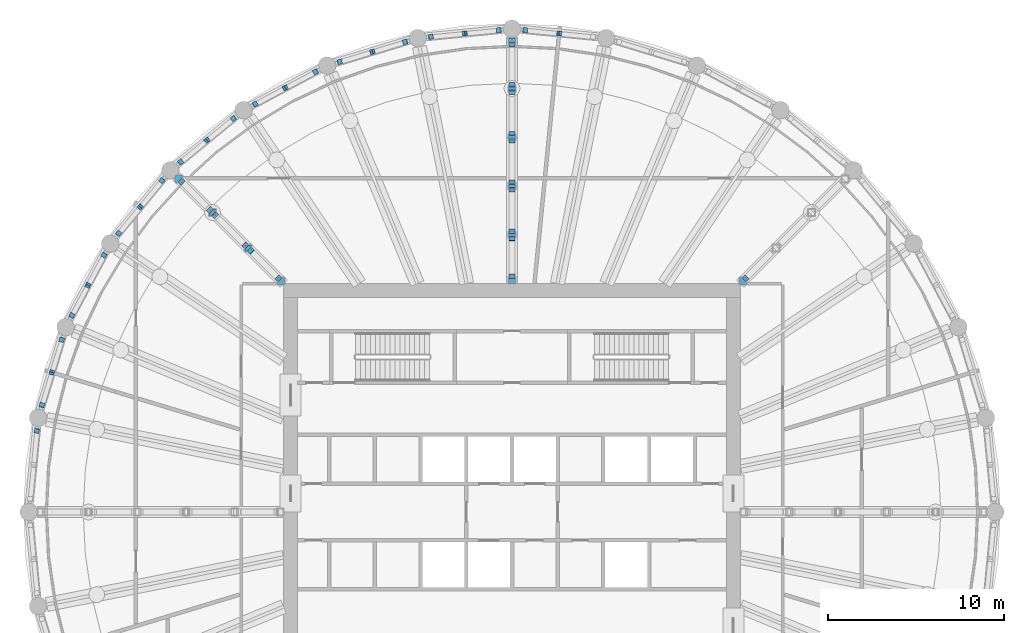
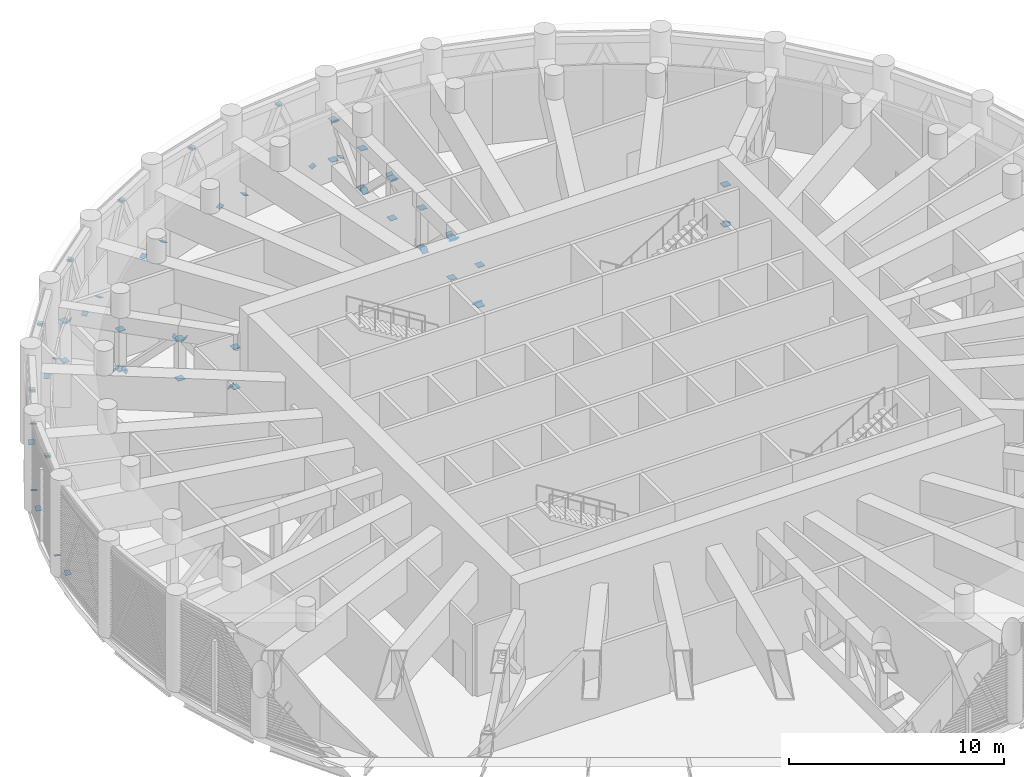
# One storey, part 15 of 24: 71 discrete accessories.
"""IFC4 building model written with IfcOpenShell, lengths in metres."""

from ifc_helpers import new_model, si_unit, direction, frame, origin, origin_2d, place, context, subcontext, project, spatial, rectangle, extrude, material, material_profile, profile_set, type_object, element, save


model = new_model("IFC4")

# Units and contexts
model_context = context("Model", 3, precision=1e-05, world=origin(), true_north=direction((0.0, 1.0)))
body_context = subcontext(model_context, "Body", "Model", "MODEL_VIEW")
ifc_project = project(units=[si_unit("LENGTHUNIT", "METRE"), si_unit("AREAUNIT", "SQUARE_METRE"), si_unit("VOLUMEUNIT", "CUBIC_METRE"), si_unit("PLANEANGLEUNIT", "RADIAN"), si_unit("MASSUNIT", "GRAM", prefix="KILO")], contexts=[model_context])

# Site, building, storey
site_placement = place(None, origin())
site = spatial("IfcSite", under=ifc_project, at=site_placement, CompositionType="ELEMENT")
building_placement = place(site_placement, origin())
building = spatial("IfcBuilding", under=site, at=building_placement, Name="Corvane Civic Tower", CompositionType="ELEMENT")
storey_placement = place(building_placement, frame((0.0, 0.0, 257.5)))
storey = spatial("IfcBuildingStorey", under=building, at=storey_placement, Name="L61", CompositionType="ELEMENT", Elevation=257.5)

# Discrete accessories
ifc_material_1 = material(Name="Steel ASTM A572 Gr 50", Category="steel")
ifc_material_profile_1 = material_profile(ifc_material_1, rectangle(XDim=0.2802734375, YDim=0.2802734375, at=origin_2d()), Name="GUSSET PLATE 25 IN HSS12X12X1/2")
ifc_profile_set_1 = profile_set([ifc_material_profile_1], Name="Steel ASTM A572 Gr 50")
discrete_accessory_type_1 = type_object("IfcDiscreteAccessoryType", Name="GUSSET PLATE 25 IN HSS12X12X1/2", PredefinedType="BRACKET", material=ifc_profile_set_1)
discrete_accessory_1_placement = place(storey_placement, frame((0.746337890625, 27.426513671875, 0.406494140625), z_axis=(0.411270876454, -0.0391686549, 0.910671226434), x_axis=(0.094809092628, 0.995495472594, 0.0)))
element("IfcDiscreteAccessory", 1, at=discrete_accessory_1_placement, inside=storey, type_object=discrete_accessory_type_1, Name="Gusset plate BD1 end A", PredefinedType="BRACKET", context=body_context, shape_type="SweptSolid", body=[
    extrude(rectangle(XDim=0.2802734375, YDim=0.2802734375, at=origin_2d()), origin(), (0.0, 0.0, 1.0), 0.02490234375),
])
for number, where, z_axis, x_axis, name in (
    (2, (2.6826171875, 27.23583984375, 4.74365234375), (-0.407632531003, 0.03882214581, -0.91232042653), (-0.094809092628, -0.995495472594, 0.0), "Gusset plate BD1 end B"),
    (3, (2.6826171875, 27.23583984375, 4.74365234375), (0.399491749636, -0.038974804843, -0.915907913799), (0.097099964285, 0.995274633926, 0.0), "Gusset plate BD1 end B"),
):
    element("IfcDiscreteAccessory", number, at=place(storey_placement, frame(where, z_axis=z_axis, x_axis=x_axis)), inside=storey, type_object=discrete_accessory_type_1, Name=name, PredefinedType="BRACKET", context=body_context, shape_type="SweptSolid", body=[
        extrude(rectangle(XDim=0.2802734375, YDim=0.2802734375, at=origin_2d()), origin(), (0.0, 0.0, 1.0), 0.025146484375),
    ])
for number, where, z_axis, x_axis, name in (
    (4, (-27.045166015625, 4.61865234375, 0.406494140625), (-0.0391686549, -0.411270876454, 0.910671226434), (0.995495472594, -0.094809092628, 0.0), "Gusset plate BD1 end A"),
    (5, (-26.75390625, 6.082763671875, 0.406494140625), (0.117709301458, 0.392364338194, 0.912247086301), (-0.957826285221, 0.287347885566, 0.0), "Gusset plate BD1 end A"),
):
    element("IfcDiscreteAccessory", number, at=place(storey_placement, frame(where, z_axis=z_axis, x_axis=x_axis)), inside=storey, type_object=discrete_accessory_type_1, Name=name, PredefinedType="BRACKET", context=body_context, shape_type="SweptSolid", body=[
        extrude(rectangle(XDim=0.2802734375, YDim=0.2802734375, at=origin_2d()), origin(), (0.0, 0.0, 1.0), 0.02490234375),
    ])
discrete_accessory_2_placement = place(storey_placement, frame((-26.189208984375, 7.9443359375, 4.74365234375), z_axis=(-0.116664416217, -0.388881387391, -0.913871260369), x_axis=(0.957826285221, -0.287347885566, 0.0)))
element("IfcDiscreteAccessory", 6, at=discrete_accessory_2_placement, inside=storey, type_object=discrete_accessory_type_1, Name="Gusset plate BD1 end B", PredefinedType="BRACKET", context=body_context, shape_type="SweptSolid", body=[
    extrude(rectangle(XDim=0.2802734375, YDim=0.2802734375, at=origin_2d()), origin(), (0.0, 0.0, 1.0), 0.025146484375),
])
discrete_accessory_3_placement = place(storey_placement, frame((-25.62451171875, 9.805908203125, 0.406494140625), z_axis=(-0.117709301458, -0.392364338194, 0.912247086301), x_axis=(0.957826285221, -0.287347885566, 0.0)))
element("IfcDiscreteAccessory", 7, at=discrete_accessory_3_placement, inside=storey, type_object=discrete_accessory_type_1, Name="Gusset plate BD1 end A", PredefinedType="BRACKET", context=body_context, shape_type="SweptSolid", body=[
    extrude(rectangle(XDim=0.2802734375, YDim=0.2802734375, at=origin_2d()), origin(), (0.0, 0.0, 1.0), 0.02490234375),
])
discrete_accessory_4_placement = place(storey_placement, frame((-26.189208984375, 7.9443359375, 4.74365234375), z_axis=(0.116664416217, 0.388881387391, -0.913871260369), x_axis=(-0.957826285221, 0.287347885566, 0.0)))
element("IfcDiscreteAccessory", 8, at=discrete_accessory_4_placement, inside=storey, type_object=discrete_accessory_type_1, Name="Gusset plate BD1 end B", PredefinedType="BRACKET", context=body_context, shape_type="SweptSolid", body=[
    extrude(rectangle(XDim=0.2802734375, YDim=0.2802734375, at=origin_2d()), origin(), (0.0, 0.0, 1.0), 0.025146484375),
])
discrete_accessory_5_placement = place(storey_placement, frame((-25.05322265625, 11.18505859375, 0.406494140625), z_axis=(0.195946639239, 0.362501282592, 0.911151872461), x_axis=(-0.879706513576, 0.475517034365, 0.0)))
element("IfcDiscreteAccessory", 9, at=discrete_accessory_5_placement, inside=storey, type_object=discrete_accessory_type_1, Name="Gusset plate BD1 end A", PredefinedType="BRACKET", context=body_context, shape_type="SweptSolid", body=[
    extrude(rectangle(XDim=0.2802734375, YDim=0.2802734375, at=origin_2d()), origin(), (0.0, 0.0, 1.0), 0.02490234375),
])
discrete_accessory_6_placement = place(storey_placement, frame((-24.13623046875, 12.90087890625, 4.74365234375), z_axis=(-0.184840995049, -0.359953516674, -0.914476501821), x_axis=(0.889567018144, -0.456804684993, 0.0)))
element("IfcDiscreteAccessory", 10, at=discrete_accessory_6_placement, inside=storey, type_object=discrete_accessory_type_1, Name="Gusset plate BD1 end B", PredefinedType="BRACKET", context=body_context, shape_type="SweptSolid", body=[
    extrude(rectangle(XDim=0.2802734375, YDim=0.2802734375, at=origin_2d()), origin(), (0.0, 0.0, 1.0), 0.025146484375),
])
discrete_accessory_7_placement = place(storey_placement, frame((-23.218994140625, 14.61669921875, 0.406494140625), z_axis=(-0.195946639239, -0.362501282592, 0.911151872461), x_axis=(0.879706513576, -0.475517034365, 0.0)))
element("IfcDiscreteAccessory", 11, at=discrete_accessory_7_placement, inside=storey, type_object=discrete_accessory_type_1, Name="Gusset plate BD1 end A", PredefinedType="BRACKET", context=body_context, shape_type="SweptSolid", body=[
    extrude(rectangle(XDim=0.2802734375, YDim=0.2802734375, at=origin_2d()), origin(), (0.0, 0.0, 1.0), 0.02490234375),
])
discrete_accessory_8_placement = place(storey_placement, frame((-24.13623046875, 12.90087890625, 4.74365234375), z_axis=(0.194211373302, 0.35929104061, -0.912793454522), x_axis=(-0.879706513576, 0.475517034365, 0.0)))
element("IfcDiscreteAccessory", 12, at=discrete_accessory_8_placement, inside=storey, type_object=discrete_accessory_type_1, Name="Gusset plate BD1 end B", PredefinedType="BRACKET", context=body_context, shape_type="SweptSolid", body=[
    extrude(rectangle(XDim=0.2802734375, YDim=0.2802734375, at=origin_2d()), origin(), (0.0, 0.0, 1.0), 0.025146484375),
])
discrete_accessory_9_placement = place(storey_placement, frame((-22.3896484375, 15.85791015625, 0.406494140625), z_axis=(0.255578404416, 0.314558036205, 0.91418429272), x_axis=(-0.776114000116, 0.630592625094, 0.0)))
element("IfcDiscreteAccessory", 13, at=discrete_accessory_9_placement, inside=storey, type_object=discrete_accessory_type_1, Name="Gusset plate BD1 end A", PredefinedType="BRACKET", context=body_context, shape_type="SweptSolid", body=[
    extrude(rectangle(XDim=0.2802734375, YDim=0.2802734375, at=origin_2d()), origin(), (0.0, 0.0, 1.0), 0.02490234375),
])
discrete_accessory_10_placement = place(storey_placement, frame((-21.155517578125, 17.36181640625, 4.74365234375), z_axis=(-0.262383360484, -0.310972871685, -0.913482810575), x_axis=(0.764291483508, -0.64487093921, 0.0)))
element("IfcDiscreteAccessory", 14, at=discrete_accessory_10_placement, inside=storey, type_object=discrete_accessory_type_1, Name="Gusset plate BD1 end B", PredefinedType="BRACKET", context=body_context, shape_type="SweptSolid", body=[
    extrude(rectangle(XDim=0.2802734375, YDim=0.2802734375, at=origin_2d()), origin(), (0.0, 0.0, 1.0), 0.025146484375),
])
discrete_accessory_11_placement = place(storey_placement, frame((-19.92138671875, 18.86572265625, 0.406494140625), z_axis=(-0.255578404416, -0.314558036205, 0.91418429272), x_axis=(0.776114000116, -0.630592625094, 0.0)))
element("IfcDiscreteAccessory", 15, at=discrete_accessory_11_placement, inside=storey, type_object=discrete_accessory_type_1, Name="Gusset plate BD1 end A", PredefinedType="BRACKET", context=body_context, shape_type="SweptSolid", body=[
    extrude(rectangle(XDim=0.2802734375, YDim=0.2802734375, at=origin_2d()), origin(), (0.0, 0.0, 1.0), 0.02490234375),
])
discrete_accessory_12_placement = place(storey_placement, frame((-21.155517578125, 17.36181640625, 4.74365234375), z_axis=(0.262383360484, 0.310972871685, -0.913482810575), x_axis=(-0.764291483508, 0.64487093921, 0.0)))
element("IfcDiscreteAccessory", 16, at=discrete_accessory_12_placement, inside=storey, type_object=discrete_accessory_type_1, Name="Gusset plate BD1 end B", PredefinedType="BRACKET", context=body_context, shape_type="SweptSolid", body=[
    extrude(rectangle(XDim=0.2802734375, YDim=0.2802734375, at=origin_2d()), origin(), (0.0, 0.0, 1.0), 0.025146484375),
])
discrete_accessory_13_placement = place(storey_placement, frame((-18.86572265625, 19.92138671875, 0.406494140625), z_axis=(0.314558036205, 0.255578404416, 0.91418429272), x_axis=(-0.630592625094, 0.776114000116, 0.0)))
element("IfcDiscreteAccessory", 17, at=discrete_accessory_13_placement, inside=storey, type_object=discrete_accessory_type_1, Name="Gusset plate BD1 end A", PredefinedType="BRACKET", context=body_context, shape_type="SweptSolid", body=[
    extrude(rectangle(XDim=0.2802734375, YDim=0.2802734375, at=origin_2d()), origin(), (0.0, 0.0, 1.0), 0.02490234375),
])
discrete_accessory_14_placement = place(storey_placement, frame((-17.36181640625, 21.155517578125, 4.74365234375), z_axis=(-0.310972871685, -0.262383360484, -0.913482810575), x_axis=(0.64487093921, -0.764291483508, 0.0)))
element("IfcDiscreteAccessory", 18, at=discrete_accessory_14_placement, inside=storey, type_object=discrete_accessory_type_1, Name="Gusset plate BD1 end B", PredefinedType="BRACKET", context=body_context, shape_type="SweptSolid", body=[
    extrude(rectangle(XDim=0.2802734375, YDim=0.2802734375, at=origin_2d()), origin(), (0.0, 0.0, 1.0), 0.025146484375),
])
discrete_accessory_15_placement = place(storey_placement, frame((-15.85791015625, 22.3896484375, 0.406494140625), z_axis=(-0.314558036205, -0.255578404416, 0.91418429272), x_axis=(0.630592625094, -0.776114000116, 0.0)))
element("IfcDiscreteAccessory", 19, at=discrete_accessory_15_placement, inside=storey, type_object=discrete_accessory_type_1, Name="Gusset plate BD1 end A", PredefinedType="BRACKET", context=body_context, shape_type="SweptSolid", body=[
    extrude(rectangle(XDim=0.2802734375, YDim=0.2802734375, at=origin_2d()), origin(), (0.0, 0.0, 1.0), 0.02490234375),
])
discrete_accessory_16_placement = place(storey_placement, frame((-17.36181640625, 21.155517578125, 4.74365234375), z_axis=(0.310972871685, 0.262383360484, -0.913482810575), x_axis=(-0.64487093921, 0.764291483508, 0.0)))
element("IfcDiscreteAccessory", 20, at=discrete_accessory_16_placement, inside=storey, type_object=discrete_accessory_type_1, Name="Gusset plate BD1 end B", PredefinedType="BRACKET", context=body_context, shape_type="SweptSolid", body=[
    extrude(rectangle(XDim=0.2802734375, YDim=0.2802734375, at=origin_2d()), origin(), (0.0, 0.0, 1.0), 0.025146484375),
])
discrete_accessory_17_placement = place(storey_placement, frame((-14.61669921875, 23.218994140625, 0.406494140625), z_axis=(0.362501282592, 0.195946639239, 0.911151872461), x_axis=(-0.475517034365, 0.879706513576, 0.0)))
element("IfcDiscreteAccessory", 21, at=discrete_accessory_17_placement, inside=storey, type_object=discrete_accessory_type_1, Name="Gusset plate BD1 end A", PredefinedType="BRACKET", context=body_context, shape_type="SweptSolid", body=[
    extrude(rectangle(XDim=0.2802734375, YDim=0.2802734375, at=origin_2d()), origin(), (0.0, 0.0, 1.0), 0.02490234375),
])
discrete_accessory_18_placement = place(storey_placement, frame((-12.90087890625, 24.13623046875, 4.74365234375), z_axis=(-0.35929104061, -0.194211373302, -0.912793454522), x_axis=(0.475517034365, -0.879706513576, 0.0)))
element("IfcDiscreteAccessory", 22, at=discrete_accessory_18_placement, inside=storey, type_object=discrete_accessory_type_1, Name="Gusset plate BD1 end B", PredefinedType="BRACKET", context=body_context, shape_type="SweptSolid", body=[
    extrude(rectangle(XDim=0.2802734375, YDim=0.2802734375, at=origin_2d()), origin(), (0.0, 0.0, 1.0), 0.025146484375),
])
discrete_accessory_19_placement = place(storey_placement, frame((-11.18505859375, 25.05322265625, 0.406494140625), z_axis=(-0.362501282592, -0.195946639239, 0.911151872461), x_axis=(0.475517034365, -0.879706513576, 0.0)))
element("IfcDiscreteAccessory", 23, at=discrete_accessory_19_placement, inside=storey, type_object=discrete_accessory_type_1, Name="Gusset plate BD1 end A", PredefinedType="BRACKET", context=body_context, shape_type="SweptSolid", body=[
    extrude(rectangle(XDim=0.2802734375, YDim=0.2802734375, at=origin_2d()), origin(), (0.0, 0.0, 1.0), 0.02490234375),
])
discrete_accessory_20_placement = place(storey_placement, frame((-12.90087890625, 24.13623046875, 4.74365234375), z_axis=(0.359953516674, 0.184840995049, -0.914476501821), x_axis=(-0.456804684993, 0.889567018144, 0.0)))
element("IfcDiscreteAccessory", 24, at=discrete_accessory_20_placement, inside=storey, type_object=discrete_accessory_type_1, Name="Gusset plate BD1 end B", PredefinedType="BRACKET", context=body_context, shape_type="SweptSolid", body=[
    extrude(rectangle(XDim=0.2802734375, YDim=0.2802734375, at=origin_2d()), origin(), (0.0, 0.0, 1.0), 0.025146484375),
])
discrete_accessory_21_placement = place(storey_placement, frame((-9.805908203125, 25.62451171875, 0.406494140625), z_axis=(0.392364338194, 0.117709301458, 0.912247086301), x_axis=(-0.287347885566, 0.957826285221, 0.0)))
element("IfcDiscreteAccessory", 25, at=discrete_accessory_21_placement, inside=storey, type_object=discrete_accessory_type_1, Name="Gusset plate BD1 end A", PredefinedType="BRACKET", context=body_context, shape_type="SweptSolid", body=[
    extrude(rectangle(XDim=0.2802734375, YDim=0.2802734375, at=origin_2d()), origin(), (0.0, 0.0, 1.0), 0.02490234375),
])
discrete_accessory_22_placement = place(storey_placement, frame((-7.9443359375, 26.189208984375, 4.74365234375), z_axis=(-0.388881387391, -0.116664416217, -0.913871260369), x_axis=(0.287347885566, -0.957826285221, 0.0)))
element("IfcDiscreteAccessory", 26, at=discrete_accessory_22_placement, inside=storey, type_object=discrete_accessory_type_1, Name="Gusset plate BD1 end B", PredefinedType="BRACKET", context=body_context, shape_type="SweptSolid", body=[
    extrude(rectangle(XDim=0.2802734375, YDim=0.2802734375, at=origin_2d()), origin(), (0.0, 0.0, 1.0), 0.025146484375),
])
discrete_accessory_23_placement = place(storey_placement, frame((-6.082763671875, 26.75390625, 0.406494140625), z_axis=(-0.392364338194, -0.117709301458, 0.912247086301), x_axis=(0.287347885566, -0.957826285221, 0.0)))
element("IfcDiscreteAccessory", 27, at=discrete_accessory_23_placement, inside=storey, type_object=discrete_accessory_type_1, Name="Gusset plate BD1 end A", PredefinedType="BRACKET", context=body_context, shape_type="SweptSolid", body=[
    extrude(rectangle(XDim=0.2802734375, YDim=0.2802734375, at=origin_2d()), origin(), (0.0, 0.0, 1.0), 0.02490234375),
])
discrete_accessory_24_placement = place(storey_placement, frame((-7.9443359375, 26.189208984375, 4.74365234375), z_axis=(0.388881387391, 0.116664416217, -0.913871260369), x_axis=(-0.287347885566, 0.957826285221, 0.0)))
element("IfcDiscreteAccessory", 28, at=discrete_accessory_24_placement, inside=storey, type_object=discrete_accessory_type_1, Name="Gusset plate BD1 end B", PredefinedType="BRACKET", context=body_context, shape_type="SweptSolid", body=[
    extrude(rectangle(XDim=0.2802734375, YDim=0.2802734375, at=origin_2d()), origin(), (0.0, 0.0, 1.0), 0.025146484375),
])
discrete_accessory_25_placement = place(storey_placement, frame((-4.61865234375, 27.045166015625, 0.406494140625), z_axis=(0.411270876454, 0.0391686549, 0.910671226434), x_axis=(-0.094809092628, 0.995495472594, 0.0)))
element("IfcDiscreteAccessory", 29, at=discrete_accessory_25_placement, inside=storey, type_object=discrete_accessory_type_1, Name="Gusset plate BD1 end A", PredefinedType="BRACKET", context=body_context, shape_type="SweptSolid", body=[
    extrude(rectangle(XDim=0.2802734375, YDim=0.2802734375, at=origin_2d()), origin(), (0.0, 0.0, 1.0), 0.02490234375),
])
discrete_accessory_26_placement = place(storey_placement, frame((-2.6826171875, 27.23583984375, 4.74365234375), z_axis=(-0.399491749636, -0.038974804843, -0.915907913799), x_axis=(0.097099964285, -0.995274633926, 0.0)))
element("IfcDiscreteAccessory", 30, at=discrete_accessory_26_placement, inside=storey, type_object=discrete_accessory_type_1, Name="Gusset plate BD1 end B", PredefinedType="BRACKET", context=body_context, shape_type="SweptSolid", body=[
    extrude(rectangle(XDim=0.2802734375, YDim=0.2802734375, at=origin_2d()), origin(), (0.0, 0.0, 1.0), 0.025146484375),
])
discrete_accessory_27_placement = place(storey_placement, frame((-0.746337890625, 27.426513671875, 0.406494140625), z_axis=(-0.411270876454, -0.0391686549, 0.910671226434), x_axis=(0.094809092628, -0.995495472594, 0.0)))
element("IfcDiscreteAccessory", 31, at=discrete_accessory_27_placement, inside=storey, type_object=discrete_accessory_type_1, Name="Gusset plate BD1 end A", PredefinedType="BRACKET", context=body_context, shape_type="SweptSolid", body=[
    extrude(rectangle(XDim=0.2802734375, YDim=0.2802734375, at=origin_2d()), origin(), (0.0, 0.0, 1.0), 0.02490234375),
])
discrete_accessory_28_placement = place(storey_placement, frame((-2.6826171875, 27.23583984375, 4.74365234375), z_axis=(0.407632531003, 0.03882214581, -0.91232042653), x_axis=(-0.094809092628, 0.995495472594, 0.0)))
element("IfcDiscreteAccessory", 32, at=discrete_accessory_28_placement, inside=storey, type_object=discrete_accessory_type_1, Name="Gusset plate BD1 end B", PredefinedType="BRACKET", context=body_context, shape_type="SweptSolid", body=[
    extrude(rectangle(XDim=0.2802734375, YDim=0.2802734375, at=origin_2d()), origin(), (0.0, 0.0, 1.0), 0.025146484375),
])
ifc_material_2 = material(Name="Steel ASTM A572 Gr 50", Category="steel")
ifc_material_profile_2 = material_profile(ifc_material_2, rectangle(XDim=0.3310546875, YDim=0.3310546875, at=origin_2d()), Name="GUSSET PLATE 25 IN HSS14X14X1/2")
ifc_profile_set_2 = profile_set([ifc_material_profile_2], Name="Steel ASTM A572 Gr 50")
discrete_accessory_type_2 = type_object("IfcDiscreteAccessoryType", Name="GUSSET PLATE 25 IN HSS14X14X1/2", PredefinedType="BRACKET", material=ifc_profile_set_2)
discrete_accessory_29_placement = place(storey_placement, frame((0.0, 13.406494140625, 0.89990234375), z_axis=(0.0, 0.68231825036, 0.731055268243), x_axis=(-1.0, 0.0, 0.0)))
element("IfcDiscreteAccessory", 33, at=discrete_accessory_29_placement, inside=storey, type_object=discrete_accessory_type_2, Name="Gusset plate OD1 end A", PredefinedType="BRACKET", context=body_context, shape_type="SweptSolid", body=[
    extrude(rectangle(XDim=0.3310546875, YDim=0.3310546875, at=origin_2d()), origin(), (0.0, 0.0, 1.0), 0.025146484375),
])
for number, where, z_axis, x_axis, name in (
    (34, (0.0, 15.57177734375, 3.199951171875), (0.0, -0.687199853876, -0.726468416955), (1.0, 0.0, 0.0), "Gusset plate OD1 end B"),
    (35, (0.0, 15.978271484375, 3.199951171875), (0.0, 0.716858570585, -0.697218609747), (-1.0, 0.0, 0.0), "Gusset plate OD1 end A"),
):
    element("IfcDiscreteAccessory", number, at=place(storey_placement, frame(where, z_axis=z_axis, x_axis=x_axis)), inside=storey, type_object=discrete_accessory_type_2, Name=name, PredefinedType="BRACKET", context=body_context, shape_type="SweptSolid", body=[
        extrude(rectangle(XDim=0.3310546875, YDim=0.3310546875, at=origin_2d()), origin(), (0.0, 0.0, 1.0), 0.02490234375),
    ])
for number, where, z_axis, x_axis, name in (
    (36, (0.0, 18.3466796875, 0.89990234375), (0.0, -0.711966448453, 0.702213483406), (1.0, 0.0, 0.0), "Gusset plate OD1 end B"),
    (37, (0.0, 18.753173828125, 0.89990234375), (0.0, 0.716725930909, 0.697354959803), (-1.0, 0.0, 0.0), "Gusset plate OD1 end A"),
    (38, (0.0, 21.121826171875, 3.199951171875), (0.0, -0.721582152295, -0.692328821796), (1.0, 0.0, 0.0), "Gusset plate OD1 end B"),
):
    element("IfcDiscreteAccessory", number, at=place(storey_placement, frame(where, z_axis=z_axis, x_axis=x_axis)), inside=storey, type_object=discrete_accessory_type_2, Name=name, PredefinedType="BRACKET", context=body_context, shape_type="SweptSolid", body=[
        extrude(rectangle(XDim=0.3310546875, YDim=0.3310546875, at=origin_2d()), origin(), (0.0, 0.0, 1.0), 0.025146484375),
    ])
discrete_accessory_30_placement = place(storey_placement, frame((0.0, 21.5283203125, 3.199951171875), z_axis=(0.0, 0.716858570585, -0.697218609747), x_axis=(-1.0, 0.0, 0.0)))
element("IfcDiscreteAccessory", 39, at=discrete_accessory_30_placement, inside=storey, type_object=discrete_accessory_type_2, Name="Gusset plate OD1 end A", PredefinedType="BRACKET", context=body_context, shape_type="SweptSolid", body=[
    extrude(rectangle(XDim=0.3310546875, YDim=0.3310546875, at=origin_2d()), origin(), (0.0, 0.0, 1.0), 0.02490234375),
])
for number, where, z_axis, x_axis, name in (
    (40, (0.0, 23.896728515625, 0.89990234375), (0.0, -0.711966448453, 0.702213483406), (1.0, 0.0, 0.0), "Gusset plate OD1 end B"),
    (41, (0.0, 24.30322265625, 0.89990234375), (0.0, 0.702213483406, 0.711966448453), (-1.0, 0.0, 0.0), "Gusset plate OD1 end A"),
):
    element("IfcDiscreteAccessory", number, at=place(storey_placement, frame(where, z_axis=z_axis, x_axis=x_axis)), inside=storey, type_object=discrete_accessory_type_2, Name=name, PredefinedType="BRACKET", context=body_context, shape_type="SweptSolid", body=[
        extrude(rectangle(XDim=0.3310546875, YDim=0.3310546875, at=origin_2d()), origin(), (0.0, 0.0, 1.0), 0.025146484375),
    ])
discrete_accessory_31_placement = place(storey_placement, frame((0.0, 26.593505859375, 3.199951171875), z_axis=(0.0, -0.707106781187, -0.707106781187), x_axis=(1.0, 0.0, 0.0)))
element("IfcDiscreteAccessory", 42, at=discrete_accessory_31_placement, inside=storey, type_object=discrete_accessory_type_2, Name="Gusset plate OD1 end B", PredefinedType="BRACKET", context=body_context, shape_type="SweptSolid", body=[
    extrude(rectangle(XDim=0.3310546875, YDim=0.3310546875, at=origin_2d()), origin(), (0.0, 0.0, 1.0), 0.02490234375),
])
for number, where, z_axis, x_axis, name in (
    (43, (13.287353515625, 13.287353515625, 0.89990234375), (0.493543251398, 0.493543251398, 0.716121580459), (-0.707106781187, 0.707106781187, 0.0), "Gusset plate OD1 end A"),
    (44, (-13.287353515625, 13.287353515625, 0.89990234375), (-0.493543251398, 0.493543251398, 0.716121580459), (-0.707106781187, -0.707106781187, 0.0), "Gusset plate OD1 end A"),
    (45, (-14.876953125, 14.876953125, 3.199951171875), (0.496975946736, -0.496975946736, -0.711357727681), (0.707106781187, 0.707106781187, 0.0), "Gusset plate OD1 end B"),
    (46, (-15.164306640625, 15.164306640625, 3.199951171875), (-0.516784270393, 0.516784270393, -0.682545262784), (-0.707106781187, -0.707106781187, 0.0), "Gusset plate OD1 end A"),
    (47, (-16.897705078125, 16.897705078125, 0.89990234375), (0.516784270393, -0.516784270393, 0.682545262784), (0.707106781187, 0.707106781187, 0.0), "Gusset plate OD1 end B"),
    (48, (-17.18505859375, 17.18505859375, 0.89990234375), (-0.496975946736, 0.496975946736, 0.711357727681), (-0.707106781187, -0.707106781187, 0.0), "Gusset plate OD1 end A"),
):
    element("IfcDiscreteAccessory", number, at=place(storey_placement, frame(where, z_axis=z_axis, x_axis=x_axis)), inside=storey, type_object=discrete_accessory_type_2, Name=name, PredefinedType="BRACKET", context=body_context, shape_type="SweptSolid", body=[
        extrude(rectangle(XDim=0.3310546875, YDim=0.3310546875, at=origin_2d()), origin(), (0.0, 0.0, 1.0), 0.025146484375),
    ])
discrete_accessory_32_placement = place(storey_placement, frame((-18.804443359375, 18.804443359375, 3.199951171875), z_axis=(0.500433087998, -0.500433087998, -0.706493771291), x_axis=(0.707106781187, 0.707106781187, 0.0)))
element("IfcDiscreteAccessory", 49, at=discrete_accessory_32_placement, inside=storey, type_object=discrete_accessory_type_2, Name="Gusset plate OD1 end B", PredefinedType="BRACKET", context=body_context, shape_type="SweptSolid", body=[
    extrude(rectangle(XDim=0.3310546875, YDim=0.3310546875, at=origin_2d()), origin(), (0.0, 0.0, 1.0), 0.02490234375),
])
ifc_material_3 = material(Name="Steel ASTM A572 Gr 50", Category="steel")
ifc_material_profile_3 = material_profile(ifc_material_3, rectangle(XDim=0.3759765625, YDim=0.3759765625, at=origin_2d()), Name="GUSSET PLATE 25 IN HSS16X16X5/8")
ifc_profile_set_3 = profile_set([ifc_material_profile_3], Name="Steel ASTM A572 Gr 50")
discrete_accessory_type_3 = type_object("IfcDiscreteAccessoryType", Name="GUSSET PLATE 25 IN HSS16X16X5/8", PredefinedType="BRACKET", material=ifc_profile_set_3)
discrete_accessory_33_placement = place(storey_placement, frame((0.0, 13.203125, 0.89990234375), z_axis=(0.0, 0.0, 1.0), x_axis=(1.0, 0.0, 0.0)))
element("IfcDiscreteAccessory", 50, at=discrete_accessory_33_placement, inside=storey, type_object=discrete_accessory_type_3, Name="Gusset plate OP1 end A", PredefinedType="BRACKET", context=body_context, shape_type="SweptSolid", body=[
    extrude(rectangle(XDim=0.3759765625, YDim=0.3759765625, at=origin_2d()), origin(), (0.0, 0.0, 1.0), 0.025146484375),
])
discrete_accessory_34_placement = place(storey_placement, frame((0.0, 13.203125, 3.199951171875), z_axis=(0.0, 0.0, -1.0), x_axis=(1.0, 0.0, 0.0)))
element("IfcDiscreteAccessory", 51, at=discrete_accessory_34_placement, inside=storey, type_object=discrete_accessory_type_3, Name="Gusset plate OP1 end B", PredefinedType="BRACKET", context=body_context, shape_type="SweptSolid", body=[
    extrude(rectangle(XDim=0.3759765625, YDim=0.3759765625, at=origin_2d()), origin(), (0.0, 0.0, 1.0), 0.02490234375),
])
discrete_accessory_35_placement = place(storey_placement, frame((0.0, 15.77490234375, 0.89990234375), z_axis=(0.0, 0.0, 1.0), x_axis=(1.0, 0.0, 0.0)))
element("IfcDiscreteAccessory", 52, at=discrete_accessory_35_placement, inside=storey, type_object=discrete_accessory_type_3, Name="Gusset plate OP1 end A", PredefinedType="BRACKET", context=body_context, shape_type="SweptSolid", body=[
    extrude(rectangle(XDim=0.3759765625, YDim=0.3759765625, at=origin_2d()), origin(), (0.0, 0.0, 1.0), 0.025146484375),
])
discrete_accessory_36_placement = place(storey_placement, frame((0.0, 15.77490234375, 3.199951171875), z_axis=(0.0, 0.0, -1.0), x_axis=(1.0, 0.0, 0.0)))
element("IfcDiscreteAccessory", 53, at=discrete_accessory_36_placement, inside=storey, type_object=discrete_accessory_type_3, Name="Gusset plate OP1 end B", PredefinedType="BRACKET", context=body_context, shape_type="SweptSolid", body=[
    extrude(rectangle(XDim=0.3759765625, YDim=0.3759765625, at=origin_2d()), origin(), (0.0, 0.0, 1.0), 0.02490234375),
])
discrete_accessory_37_placement = place(storey_placement, frame((0.0, 18.550048828125, 0.89990234375), z_axis=(0.0, 0.0, 1.0), x_axis=(1.0, 0.0, 0.0)))
element("IfcDiscreteAccessory", 54, at=discrete_accessory_37_placement, inside=storey, type_object=discrete_accessory_type_3, Name="Gusset plate OP1 end A", PredefinedType="BRACKET", context=body_context, shape_type="SweptSolid", body=[
    extrude(rectangle(XDim=0.3759765625, YDim=0.3759765625, at=origin_2d()), origin(), (0.0, 0.0, 1.0), 0.025146484375),
])
discrete_accessory_38_placement = place(storey_placement, frame((0.0, 18.550048828125, 3.199951171875), z_axis=(0.0, 0.0, -1.0), x_axis=(1.0, 0.0, 0.0)))
element("IfcDiscreteAccessory", 55, at=discrete_accessory_38_placement, inside=storey, type_object=discrete_accessory_type_3, Name="Gusset plate OP1 end B", PredefinedType="BRACKET", context=body_context, shape_type="SweptSolid", body=[
    extrude(rectangle(XDim=0.3759765625, YDim=0.3759765625, at=origin_2d()), origin(), (0.0, 0.0, 1.0), 0.02490234375),
])
discrete_accessory_39_placement = place(storey_placement, frame((0.0, 21.324951171875, 0.89990234375), z_axis=(0.0, 0.0, 1.0), x_axis=(1.0, 0.0, 0.0)))
element("IfcDiscreteAccessory", 56, at=discrete_accessory_39_placement, inside=storey, type_object=discrete_accessory_type_3, Name="Gusset plate OP1 end A", PredefinedType="BRACKET", context=body_context, shape_type="SweptSolid", body=[
    extrude(rectangle(XDim=0.3759765625, YDim=0.3759765625, at=origin_2d()), origin(), (0.0, 0.0, 1.0), 0.025146484375),
])
discrete_accessory_40_placement = place(storey_placement, frame((0.0, 21.324951171875, 3.199951171875), z_axis=(0.0, 0.0, -1.0), x_axis=(1.0, 0.0, 0.0)))
element("IfcDiscreteAccessory", 57, at=discrete_accessory_40_placement, inside=storey, type_object=discrete_accessory_type_3, Name="Gusset plate OP1 end B", PredefinedType="BRACKET", context=body_context, shape_type="SweptSolid", body=[
    extrude(rectangle(XDim=0.3759765625, YDim=0.3759765625, at=origin_2d()), origin(), (0.0, 0.0, 1.0), 0.02490234375),
])
discrete_accessory_41_placement = place(storey_placement, frame((0.0, 24.10009765625, 0.89990234375), z_axis=(0.0, 0.0, 1.0), x_axis=(1.0, 0.0, 0.0)))
element("IfcDiscreteAccessory", 58, at=discrete_accessory_41_placement, inside=storey, type_object=discrete_accessory_type_3, Name="Gusset plate OP1 end A", PredefinedType="BRACKET", context=body_context, shape_type="SweptSolid", body=[
    extrude(rectangle(XDim=0.3759765625, YDim=0.3759765625, at=origin_2d()), origin(), (0.0, 0.0, 1.0), 0.025146484375),
])
discrete_accessory_42_placement = place(storey_placement, frame((0.0, 24.10009765625, 3.199951171875), z_axis=(0.0, 0.0, -1.0), x_axis=(1.0, 0.0, 0.0)))
element("IfcDiscreteAccessory", 59, at=discrete_accessory_42_placement, inside=storey, type_object=discrete_accessory_type_3, Name="Gusset plate OP1 end B", PredefinedType="BRACKET", context=body_context, shape_type="SweptSolid", body=[
    extrude(rectangle(XDim=0.3759765625, YDim=0.3759765625, at=origin_2d()), origin(), (0.0, 0.0, 1.0), 0.02490234375),
])
discrete_accessory_43_placement = place(storey_placement, frame((0.0, 26.796875, 0.89990234375), z_axis=(0.0, 0.0, 1.0), x_axis=(1.0, 0.0, 0.0)))
element("IfcDiscreteAccessory", 60, at=discrete_accessory_43_placement, inside=storey, type_object=discrete_accessory_type_3, Name="Gusset plate OP1 end A", PredefinedType="BRACKET", context=body_context, shape_type="SweptSolid", body=[
    extrude(rectangle(XDim=0.3759765625, YDim=0.3759765625, at=origin_2d()), origin(), (0.0, 0.0, 1.0), 0.025146484375),
])
discrete_accessory_44_placement = place(storey_placement, frame((0.0, 26.796875, 3.199951171875), z_axis=(0.0, 0.0, -1.0), x_axis=(1.0, 0.0, 0.0)))
element("IfcDiscreteAccessory", 61, at=discrete_accessory_44_placement, inside=storey, type_object=discrete_accessory_type_3, Name="Gusset plate OP1 end B", PredefinedType="BRACKET", context=body_context, shape_type="SweptSolid", body=[
    extrude(rectangle(XDim=0.3759765625, YDim=0.3759765625, at=origin_2d()), origin(), (0.0, 0.0, 1.0), 0.02490234375),
])
discrete_accessory_45_placement = place(storey_placement, frame((13.143798828125, 13.143798828125, 0.89990234375), z_axis=(0.0, 0.0, 1.0), x_axis=(1.0, 0.0, 0.0)))
element("IfcDiscreteAccessory", 62, at=discrete_accessory_45_placement, inside=storey, type_object=discrete_accessory_type_3, Name="Gusset plate OP1 end A", PredefinedType="BRACKET", context=body_context, shape_type="SweptSolid", body=[
    extrude(rectangle(XDim=0.3759765625, YDim=0.3759765625, at=origin_2d()), origin(), (0.0, 0.0, 1.0), 0.025146484375),
])
discrete_accessory_46_placement = place(storey_placement, frame((13.143798828125, 13.143798828125, 3.199951171875), z_axis=(0.0, 0.0, -1.0), x_axis=(1.0, 0.0, 0.0)))
element("IfcDiscreteAccessory", 63, at=discrete_accessory_46_placement, inside=storey, type_object=discrete_accessory_type_3, Name="Gusset plate OP1 end B", PredefinedType="BRACKET", context=body_context, shape_type="SweptSolid", body=[
    extrude(rectangle(XDim=0.3759765625, YDim=0.3759765625, at=origin_2d()), origin(), (0.0, 0.0, 1.0), 0.02490234375),
])
discrete_accessory_47_placement = place(storey_placement, frame((-13.143798828125, 13.143798828125, 0.89990234375), z_axis=(0.0, 0.0, 1.0), x_axis=(1.0, 0.0, 0.0)))
element("IfcDiscreteAccessory", 64, at=discrete_accessory_47_placement, inside=storey, type_object=discrete_accessory_type_3, Name="Gusset plate OP1 end A", PredefinedType="BRACKET", context=body_context, shape_type="SweptSolid", body=[
    extrude(rectangle(XDim=0.3759765625, YDim=0.3759765625, at=origin_2d()), origin(), (0.0, 0.0, 1.0), 0.025146484375),
])
discrete_accessory_48_placement = place(storey_placement, frame((-13.143798828125, 13.143798828125, 3.199951171875), z_axis=(0.0, 0.0, -1.0), x_axis=(1.0, 0.0, 0.0)))
element("IfcDiscreteAccessory", 65, at=discrete_accessory_48_placement, inside=storey, type_object=discrete_accessory_type_3, Name="Gusset plate OP1 end B", PredefinedType="BRACKET", context=body_context, shape_type="SweptSolid", body=[
    extrude(rectangle(XDim=0.3759765625, YDim=0.3759765625, at=origin_2d()), origin(), (0.0, 0.0, 1.0), 0.02490234375),
])
discrete_accessory_49_placement = place(storey_placement, frame((-15.020751953125, 15.020751953125, 0.89990234375), z_axis=(0.0, 0.0, 1.0), x_axis=(1.0, 0.0, 0.0)))
element("IfcDiscreteAccessory", 66, at=discrete_accessory_49_placement, inside=storey, type_object=discrete_accessory_type_3, Name="Gusset plate OP1 end A", PredefinedType="BRACKET", context=body_context, shape_type="SweptSolid", body=[
    extrude(rectangle(XDim=0.3759765625, YDim=0.3759765625, at=origin_2d()), origin(), (0.0, 0.0, 1.0), 0.025146484375),
])
discrete_accessory_50_placement = place(storey_placement, frame((-15.020751953125, 15.020751953125, 3.199951171875), z_axis=(0.0, 0.0, -1.0), x_axis=(1.0, 0.0, 0.0)))
element("IfcDiscreteAccessory", 67, at=discrete_accessory_50_placement, inside=storey, type_object=discrete_accessory_type_3, Name="Gusset plate OP1 end B", PredefinedType="BRACKET", context=body_context, shape_type="SweptSolid", body=[
    extrude(rectangle(XDim=0.3759765625, YDim=0.3759765625, at=origin_2d()), origin(), (0.0, 0.0, 1.0), 0.02490234375),
])
discrete_accessory_51_placement = place(storey_placement, frame((-17.041259765625, 17.041259765625, 0.89990234375), z_axis=(0.0, 0.0, 1.0), x_axis=(1.0, 0.0, 0.0)))
element("IfcDiscreteAccessory", 68, at=discrete_accessory_51_placement, inside=storey, type_object=discrete_accessory_type_3, Name="Gusset plate OP1 end A", PredefinedType="BRACKET", context=body_context, shape_type="SweptSolid", body=[
    extrude(rectangle(XDim=0.3759765625, YDim=0.3759765625, at=origin_2d()), origin(), (0.0, 0.0, 1.0), 0.025146484375),
])
discrete_accessory_52_placement = place(storey_placement, frame((-17.041259765625, 17.041259765625, 3.199951171875), z_axis=(0.0, 0.0, -1.0), x_axis=(1.0, 0.0, 0.0)))
element("IfcDiscreteAccessory", 69, at=discrete_accessory_52_placement, inside=storey, type_object=discrete_accessory_type_3, Name="Gusset plate OP1 end B", PredefinedType="BRACKET", context=body_context, shape_type="SweptSolid", body=[
    extrude(rectangle(XDim=0.3759765625, YDim=0.3759765625, at=origin_2d()), origin(), (0.0, 0.0, 1.0), 0.02490234375),
])
discrete_accessory_53_placement = place(storey_placement, frame((-18.9482421875, 18.9482421875, 0.89990234375), z_axis=(0.0, 0.0, 1.0), x_axis=(1.0, 0.0, 0.0)))
element("IfcDiscreteAccessory", 70, at=discrete_accessory_53_placement, inside=storey, type_object=discrete_accessory_type_3, Name="Gusset plate OP1 end A", PredefinedType="BRACKET", context=body_context, shape_type="SweptSolid", body=[
    extrude(rectangle(XDim=0.3759765625, YDim=0.3759765625, at=origin_2d()), origin(), (0.0, 0.0, 1.0), 0.025146484375),
])
discrete_accessory_54_placement = place(storey_placement, frame((-18.9482421875, 18.9482421875, 3.199951171875), z_axis=(0.0, 0.0, -1.0), x_axis=(1.0, 0.0, 0.0)))
element("IfcDiscreteAccessory", 71, at=discrete_accessory_54_placement, inside=storey, type_object=discrete_accessory_type_3, Name="Gusset plate OP1 end B", PredefinedType="BRACKET", context=body_context, shape_type="SweptSolid", body=[
    extrude(rectangle(XDim=0.3759765625, YDim=0.3759765625, at=origin_2d()), origin(), (0.0, 0.0, 1.0), 0.02490234375),
])

save(model, "model.ifc")
